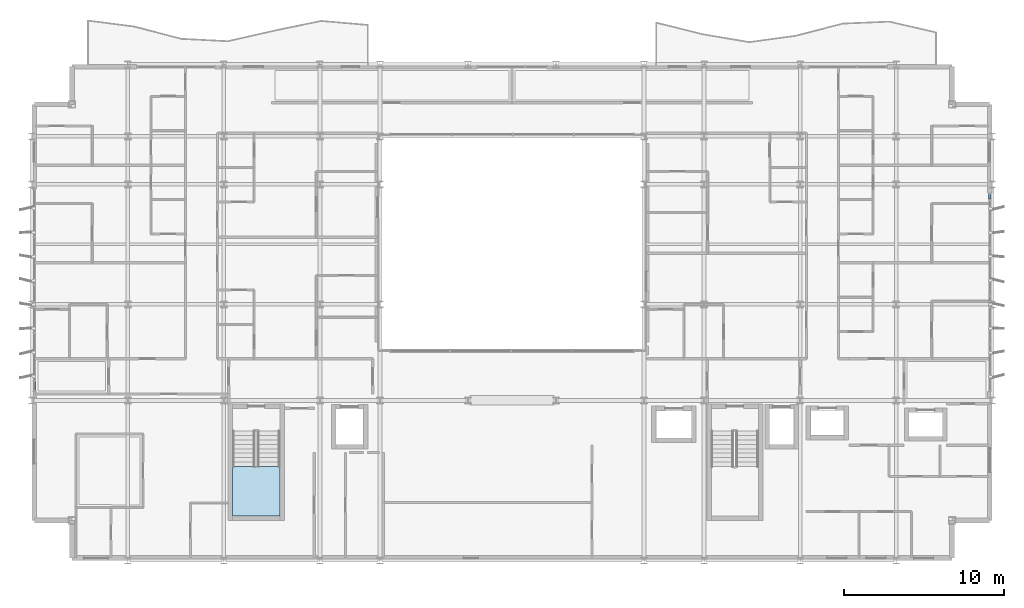
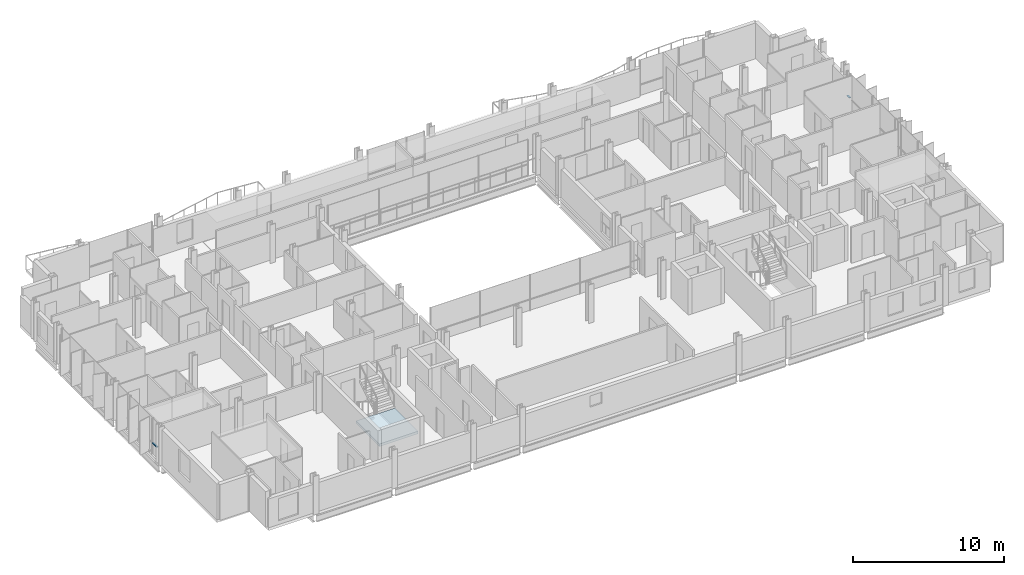
# One storey, part 21 of 39: 2 members, 1 slab, 3 elements without a shape of their own.
"""IFC4 building model written with IfcOpenShell, lengths in metres."""

import ifcopenshell
import ifcopenshell.guid

model = None  # the IFC model being written
_history = None  # IfcOwnerHistory: only IFC2X3 demands one
_inside = {}  # id of a spatial element -> (the spatial element, [elements in it])
_under = {}  # id of a project, library or spatial element -> (it, [spatial elements below it])
_declared = {}  # id of a project -> (the project, [libraries it declares])
_typed = {}  # id of a type object -> (the type object, [elements of that type])
_made_of = {}  # id of a material, layer set ... -> (it, [elements and type objects made of it])


def new_model(schema):
    """Start an empty IFC model of exactly this schema.

    Asked for "IFC4X3", IfcOpenShell would pick the latest addendum, in which some entities
    have other attributes; the version numbers below select the first issue.
    IFC2X3 requires an IfcOwnerHistory on every rooted entity: one is made here for all.
    """
    global model, _history
    if schema == "IFC4X3":
        model = ifcopenshell.file(schema_version=(4, 3, 0, 0))
    else:
        model = ifcopenshell.file(schema=schema)
    _inside.clear()
    _under.clear()
    _declared.clear()
    _typed.clear()
    _made_of.clear()
    _history = None
    if model.schema == "IFC2X3":
        org = make("IfcOrganization", Name="unknown")
        user = make(
            "IfcPersonAndOrganization",
            ThePerson=make("IfcPerson", FamilyName="unknown"),
            TheOrganization=org,
        )
        app = make(
            "IfcApplication",
            ApplicationDeveloper=org,
            Version="unknown",
            ApplicationFullName="unknown",
            ApplicationIdentifier="unknown",
        )
        _history = make(
            "IfcOwnerHistory",
            OwningUser=user,
            OwningApplication=app,
            ChangeAction="ADDED",
            CreationDate=0,
        )
    return model


def make(cls, **values):
    """One entity of the class cls with the attributes given. An attribute that is None is left unset."""
    return model.create_entity(
        cls, **{name: value for name, value in values.items() if value is not None}
    )


def rooted(cls, **values):
    """An entity with a GlobalId (a new one), such as an element, a storey or a relation."""
    return make(cls, GlobalId=ifcopenshell.guid.new(), OwnerHistory=_history, **values)


def si_unit(unit_type, name, prefix=None):
    """IfcSIUnit, for example si_unit("LENGTHUNIT", "METRE", prefix="MILLI")."""
    return make("IfcSIUnit", UnitType=unit_type, Prefix=prefix, Name=name)


def assignment(units):
    """IfcUnitAssignment: the units of a project."""
    return None if units is None else make("IfcUnitAssignment", Units=units)


def point(xyz):
    """IfcCartesianPoint."""
    return None if xyz is None else make("IfcCartesianPoint", Coordinates=xyz)


def direction(xyz):
    """IfcDirection."""
    return None if xyz is None else make("IfcDirection", DirectionRatios=xyz)


def frame(location, z_axis=None, x_axis=None):
    """IfcAxis2Placement3D, a coordinate frame: its origin and axes. An axis left out is left unset."""
    return make(
        "IfcAxis2Placement3D",
        Location=point(location),
        Axis=direction(z_axis),
        RefDirection=direction(x_axis),
    )


def frame_2d(location, x_axis=None):
    """IfcAxis2Placement2D, a coordinate frame in the plane: its origin and x axis."""
    return make(
        "IfcAxis2Placement2D", Location=point(location), RefDirection=direction(x_axis)
    )


def origin():
    """The frame at (0, 0, 0) with its axes left unset."""
    return frame((0.0, 0.0, 0.0))


def origin_2d():
    """The frame at (0, 0) in the plane with its x axis left unset."""
    return frame_2d((0.0, 0.0))


def place(relative_to, where):
    """IfcLocalPlacement: puts the frame where relative to a parent placement (None: the world)."""
    return make(
        "IfcLocalPlacement", PlacementRelTo=relative_to, RelativePlacement=where
    )


def context(
    kind, dimensions, precision=None, world=None, true_north=None, identifier=None
):
    """IfcGeometricRepresentationContext, for example the 3D "Model" context."""
    return make(
        "IfcGeometricRepresentationContext",
        ContextIdentifier=identifier,
        ContextType=kind,
        CoordinateSpaceDimension=dimensions,
        Precision=precision,
        WorldCoordinateSystem=world,
        TrueNorth=true_north,
    )


def subcontext(parent, identifier, kind, view, scale=None):
    """IfcGeometricRepresentationSubContext, for example "Body" below "Model"."""
    return make(
        "IfcGeometricRepresentationSubContext",
        ContextIdentifier=identifier,
        ContextType=kind,
        ParentContext=parent,
        TargetScale=scale,
        TargetView=view,
    )


def project(units=None, contexts=None):
    """IfcProject with its units and contexts."""
    return rooted(
        "IfcProject",
        Name="project",
        RepresentationContexts=contexts,
        UnitsInContext=assignment(units),
    )


def spatial(cls, under=None, at=None, **own):
    """A site, building, storey or space (cls), placed at a placement, below another one or the project."""
    s = rooted(cls, ObjectPlacement=at, **own)
    if under is not None:
        _under.setdefault(under.id(), (under, []))[1].append(s)
    return s


def polyline(points):
    """IfcPolyline through the points."""
    return make("IfcPolyline", Points=[point(p) for p in points])


def profile(cls, at=None, kind="AREA", **sizes):
    """A parametric profile (cls). Its sizes go by their IFC names, for example OverallWidth=200.0."""
    return make(cls, ProfileType=kind, Position=at, **sizes)


def hollow_rectangle(**sizes):
    """IfcRectangleHollowProfileDef."""
    return profile("IfcRectangleHollowProfileDef", **sizes)


def outline(outer, holes=None, kind="AREA"):
    """IfcArbitraryClosedProfileDef: a profile drawn as a closed curve; with holes, ...WithVoids."""
    if holes is None:
        return make("IfcArbitraryClosedProfileDef", ProfileType=kind, OuterCurve=outer)
    return make(
        "IfcArbitraryProfileDefWithVoids",
        ProfileType=kind,
        OuterCurve=outer,
        InnerCurves=holes,
    )


def extrude(swept, where, along, depth):
    """IfcExtrudedAreaSolid: the profile swept, set in the frame where, extruded along a direction by depth."""
    return make(
        "IfcExtrudedAreaSolid",
        SweptArea=swept,
        Position=where,
        ExtrudedDirection=direction(along),
        Depth=depth,
    )


def shape(context_of_items, identifier, shape_type, items):
    """IfcShapeRepresentation: the items that make up one representation, for example the "Body"."""
    return make(
        "IfcShapeRepresentation",
        ContextOfItems=context_of_items,
        RepresentationIdentifier=identifier,
        RepresentationType=shape_type,
        Items=items,
    )


def material(Name=None, Category=None):
    """IfcMaterial."""
    return make("IfcMaterial", Name=Name, Category=Category)


def layer(
    of_material, thickness, ventilated=None, Name=None, Category=None, Priority=None
):
    """IfcMaterialLayer: one layer of a wall or slab, of a material (None: an air gap)."""
    return make(
        "IfcMaterialLayer",
        Material=of_material,
        LayerThickness=thickness,
        IsVentilated=ventilated,
        Name=Name,
        Category=Category,
        Priority=Priority,
    )


def layer_set(layers, Name=None):
    """IfcMaterialLayerSet."""
    return make("IfcMaterialLayerSet", MaterialLayers=layers, LayerSetName=Name)


def material_profile(
    of_material, cross_section, Name=None, Category=None, Priority=None
):
    """IfcMaterialProfile: a cross section and its material."""
    return make(
        "IfcMaterialProfile",
        Name=Name,
        Material=of_material,
        Profile=cross_section,
        Priority=Priority,
        Category=Category,
    )


def profile_set(profiles, Name=None, composite=None):
    """IfcMaterialProfileSet."""
    return make(
        "IfcMaterialProfileSet",
        Name=Name,
        MaterialProfiles=profiles,
        CompositeProfile=composite,
    )


def made_of(thing, what):
    """Note that an element or type object is made of a material, layer set ...; save() writes the relation."""
    if what is not None:
        _made_of.setdefault(what.id(), (what, []))[1].append(thing)
    return thing


def type_object(cls, material=None, **own):
    """A type object (cls), such as IfcWallType, which elements share."""
    return made_of(rooted(cls, **own), material)


def element(
    cls,
    number,
    at=None,
    inside=None,
    cuts=None,
    type_object=None,
    material=None,
    context=None,
    identifier="Body",
    shape_type=None,
    held_by="IfcProductDefinitionShape",
    body=None,
    shapes=None,
    **own,
):
    """One element of the class cls, such as IfcWall. Its Tag is "e" and its number.

    at: its placement. inside: the storey or other place that contains it. cuts: it is an
    opening in that element (IfcRelVoidsElement). A single representation is given by context,
    identifier, shape_type and body (its items); several are given by shapes. held_by: the class
    of the entity that holds the representations. save() writes the other relations.
    """
    e = rooted(cls, Tag="e%d" % number, ObjectPlacement=at, **own)
    if body is not None:
        shapes = [shape(context, identifier, shape_type, body)]
    if shapes is not None:
        e.Representation = make(held_by, Representations=shapes)
    if inside is not None:
        _inside.setdefault(inside.id(), (inside, []))[1].append(e)
    if cuts is not None:
        rooted(
            "IfcRelVoidsElement", RelatingBuildingElement=cuts, RelatedOpeningElement=e
        )
    if type_object is not None:
        _typed.setdefault(type_object.id(), (type_object, []))[1].append(e)
    return made_of(e, material)


def aggregate(whole, parts):
    """IfcRelAggregates: a whole, such as a stair, and the parts it consists of."""
    return rooted("IfcRelAggregates", RelatingObject=whole, RelatedObjects=parts)


def save(model, path):
    """Write the relations noted so far, then the file.

    IfcRelAggregates (storeys below a building ...), IfcRelContainedInSpatialStructure (elements
    in a storey), IfcRelDefinesByType, IfcRelAssociatesMaterial and IfcRelDeclares: one each for
    every whole, place, type object, material and project.
    """
    for whole, parts in _under.values():
        aggregate(whole, parts)
    for where, things in _inside.values():
        rooted(
            "IfcRelContainedInSpatialStructure",
            RelatedElements=things,
            RelatingStructure=where,
        )
    for kind, things in _typed.values():
        rooted("IfcRelDefinesByType", RelatedObjects=things, RelatingType=kind)
    for what, things in _made_of.values():
        rooted("IfcRelAssociatesMaterial", RelatedObjects=things, RelatingMaterial=what)
    for by, libraries in _declared.values():
        rooted("IfcRelDeclares", RelatingContext=by, RelatedDefinitions=libraries)
    model.write(path)


model = new_model("IFC4")

# Units and contexts
model_context = context("Model", 3, precision=1e-05, world=origin(), true_north=direction((0.0, 1.0)))
body_context = subcontext(model_context, "Body", "Model", "MODEL_VIEW")
ifc_project = project(units=[si_unit("LENGTHUNIT", "METRE"), si_unit("AREAUNIT", "SQUARE_METRE"), si_unit("VOLUMEUNIT", "CUBIC_METRE"), si_unit("PLANEANGLEUNIT", "RADIAN"), si_unit("MASSUNIT", "GRAM", prefix="KILO")], contexts=[model_context])

# Site, building, storey
site_placement = place(None, origin())
site = spatial("IfcSite", under=ifc_project, at=site_placement, CompositionType="ELEMENT")
building_placement = place(site_placement, origin())
building = spatial("IfcBuilding", under=site, at=building_placement, Name="Brevholm Reach", CompositionType="ELEMENT")
storey_placement = place(building_placement, frame((0.0, 0.0, 103.5)))
storey = spatial("IfcBuildingStorey", under=building, at=storey_placement, Name="L30", CompositionType="ELEMENT", Elevation=103.5)

# Curtain wall, member
ifc_material_1 = material(Name="Dark Anodised Aluminium 6063-T6 and Solar-Control Glass", Category="aluminium")
ifc_layer_1 = layer(ifc_material_1, 0.14990234375)
ifc_layer_set_1 = layer_set([ifc_layer_1], Name="Dark Anodised Aluminium 6063-T6 and Solar-Control Glass")
curtain_wall_type = type_object("IfcCurtainWallType", Name="CW-01", PredefinedType="NOTDEFINED", material=ifc_layer_set_1)
curtain_wall_1_placement = place(storey_placement, origin())
curtain_wall_1 = element("IfcCurtainWall", 1, at=curtain_wall_1_placement, inside=storey, type_object=curtain_wall_type, Name="L30 Curtain Wall CW-01", PredefinedType="NOTDEFINED")
ifc_material_2 = material(Name="Dark Anodised Aluminium 6063-T6", Category="aluminium")
ifc_material_profile = material_profile(ifc_material_2, hollow_rectangle(XDim=0.06494140625, YDim=0.14990234375, WallThickness=0.0048828125, InnerFilletRadius=0.0048828125, OuterFilletRadius=0.010009765625, at=origin_2d()), Name="RHS 150x65x5")
ifc_profile_set = profile_set([ifc_material_profile], Name="Dark Anodised Aluminium 6063-T6")
member_type = type_object("IfcMemberType", Name="CWT-150", PredefinedType="NOTDEFINED", material=ifc_profile_set)
member_1_placement = place(storey_placement, frame((0.14990234375, 11.1875, 0.89990234375), z_axis=(0.0, -1.0, 0.0), x_axis=(0.0, 0.0, 1.0)))
member_1 = element("IfcMember", 2, at=member_1_placement, type_object=member_type, Name="CT-150 Transom 5.1", ObjectType="TRANSOM", PredefinedType="USERDEFINED", context=body_context, shape_type="SweptSolid", body=[
    extrude(hollow_rectangle(XDim=0.06494140625, YDim=0.14990234375, WallThickness=0.0048828125, InnerFilletRadius=0.0048828125, OuterFilletRadius=0.010009765625, at=origin_2d()), origin(), (0.0, 0.0, 1.0), 0.572509765625),
])
aggregate(curtain_wall_1, [member_1])

curtain_wall_2_placement = place(storey_placement, origin())
curtain_wall_2 = element("IfcCurtainWall", 3, at=curtain_wall_2_placement, inside=storey, type_object=curtain_wall_type, Name="L30 Curtain Wall CW-01", PredefinedType="NOTDEFINED")
member_2_placement = place(storey_placement, frame((59.85009765625, 22.58251953125, 0.89990234375), z_axis=(0.0, 1.0, 0.0), x_axis=(0.0, 0.0, 1.0)))
member_2 = element("IfcMember", 4, at=member_2_placement, type_object=member_type, Name="CT-150 Transom 5.1", ObjectType="TRANSOM", PredefinedType="USERDEFINED", context=body_context, shape_type="SweptSolid", body=[
    extrude(hollow_rectangle(XDim=0.06494140625, YDim=0.14990234375, WallThickness=0.0048828125, InnerFilletRadius=0.0048828125, OuterFilletRadius=0.010009765625, at=origin_2d()), origin(), (0.0, 0.0, 1.0), 0.302490234375),
])
aggregate(curtain_wall_2, [member_2])

# Stair, slab
ifc_material_3 = material(Name="Precast Concrete C40/50", Category="concrete")
stair_type = type_object("IfcStairType", Name="STR-ESC-1400", PredefinedType="DOUBLE_RETURN_STAIR", material=ifc_material_3)
stair_placement = place(storey_placement, origin())
stair = element("IfcStair", 5, at=stair_placement, inside=storey, type_object=stair_type, Name="L30 ST-1", PredefinedType="DOUBLE_RETURN_STAIR")
ifc_material_4 = material(Name="Concrete C40/50", Category="concrete")
ifc_layer_2 = layer(ifc_material_4, 0.199951171875)
ifc_layer_set_2 = layer_set([ifc_layer_2], Name="Concrete C40/50")
slab_type = type_object("IfcSlabType", Name="SLB-LND-200", PredefinedType="LANDING", material=ifc_layer_set_2)
slab_placement = place(storey_placement, frame((0.0, 0.0, 1.35009765625)))
slab = element("IfcSlab", 6, at=slab_placement, type_object=slab_type, Name="ST-1 landing 1", PredefinedType="LANDING", context=body_context, shape_type="SweptSolid", body=[
    extrude(outline(polyline([(12.550048828125, 5.860107421875), (12.550048828125, 2.780029296875), (15.5, 2.780029296875), (15.5, 5.860107421875), (12.550048828125, 5.860107421875)])), origin(), (0.0, 0.0, 1.0), 0.199951171875),
])
aggregate(stair, [slab])

save(model, "model.ifc")
